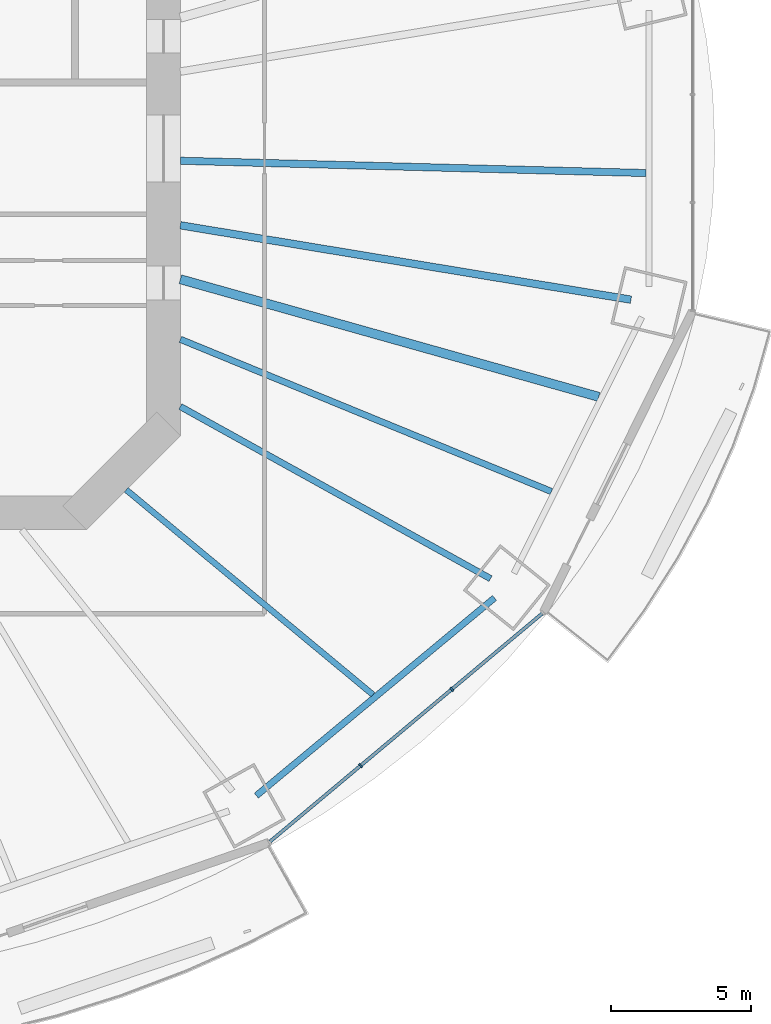
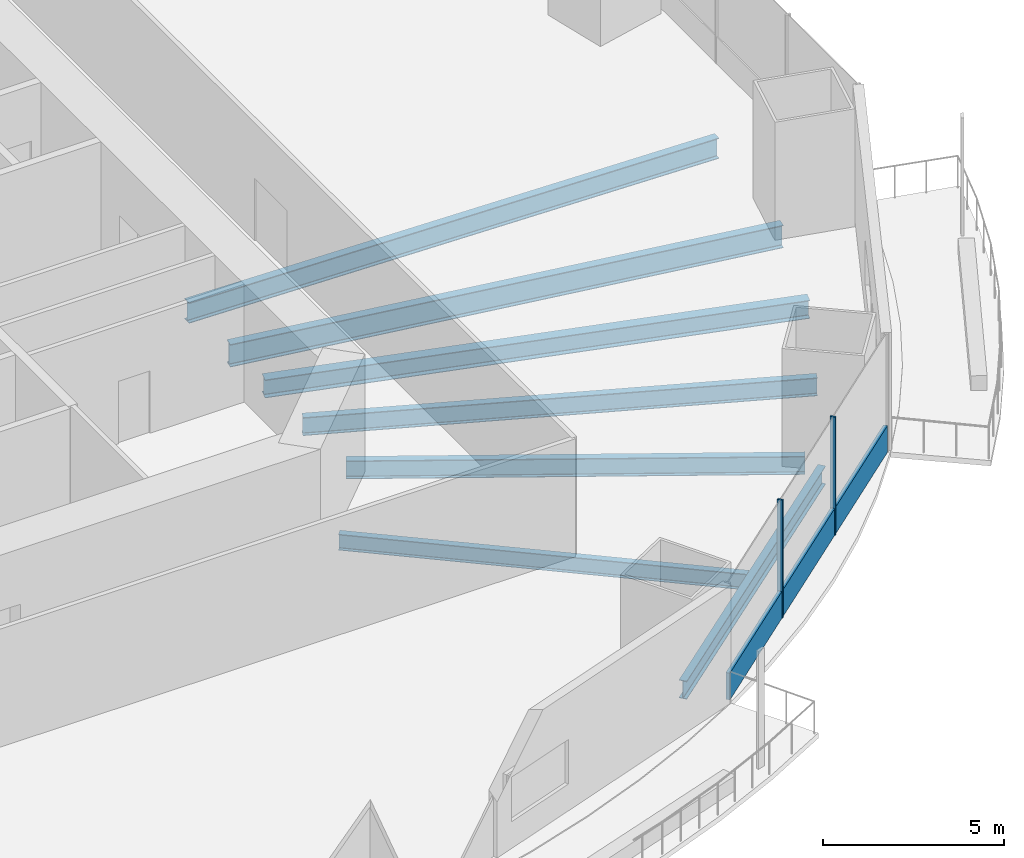
# One storey, part 5 of 22: 7 beams, 3 members, 1 element without a shape of its own.
"""IFC4 building model written with IfcOpenShell, lengths in metres."""

import ifcopenshell
import ifcopenshell.guid

model = None  # the IFC model being written
_history = None  # IfcOwnerHistory: only IFC2X3 demands one
_inside = {}  # id of a spatial element -> (the spatial element, [elements in it])
_under = {}  # id of a project, library or spatial element -> (it, [spatial elements below it])
_declared = {}  # id of a project -> (the project, [libraries it declares])
_typed = {}  # id of a type object -> (the type object, [elements of that type])
_made_of = {}  # id of a material, layer set ... -> (it, [elements and type objects made of it])


def new_model(schema):
    """Start an empty IFC model of exactly this schema.

    Asked for "IFC4X3", IfcOpenShell would pick the latest addendum, in which some entities
    have other attributes; the version numbers below select the first issue.
    IFC2X3 requires an IfcOwnerHistory on every rooted entity: one is made here for all.
    """
    global model, _history
    if schema == "IFC4X3":
        model = ifcopenshell.file(schema_version=(4, 3, 0, 0))
    else:
        model = ifcopenshell.file(schema=schema)
    _inside.clear()
    _under.clear()
    _declared.clear()
    _typed.clear()
    _made_of.clear()
    _history = None
    if model.schema == "IFC2X3":
        org = make("IfcOrganization", Name="unknown")
        user = make(
            "IfcPersonAndOrganization",
            ThePerson=make("IfcPerson", FamilyName="unknown"),
            TheOrganization=org,
        )
        app = make(
            "IfcApplication",
            ApplicationDeveloper=org,
            Version="unknown",
            ApplicationFullName="unknown",
            ApplicationIdentifier="unknown",
        )
        _history = make(
            "IfcOwnerHistory",
            OwningUser=user,
            OwningApplication=app,
            ChangeAction="ADDED",
            CreationDate=0,
        )
    return model


def make(cls, **values):
    """One entity of the class cls with the attributes given. An attribute that is None is left unset."""
    return model.create_entity(
        cls, **{name: value for name, value in values.items() if value is not None}
    )


def rooted(cls, **values):
    """An entity with a GlobalId (a new one), such as an element, a storey or a relation."""
    return make(cls, GlobalId=ifcopenshell.guid.new(), OwnerHistory=_history, **values)


def si_unit(unit_type, name, prefix=None):
    """IfcSIUnit, for example si_unit("LENGTHUNIT", "METRE", prefix="MILLI")."""
    return make("IfcSIUnit", UnitType=unit_type, Prefix=prefix, Name=name)


def assignment(units):
    """IfcUnitAssignment: the units of a project."""
    return None if units is None else make("IfcUnitAssignment", Units=units)


def point(xyz):
    """IfcCartesianPoint."""
    return None if xyz is None else make("IfcCartesianPoint", Coordinates=xyz)


def direction(xyz):
    """IfcDirection."""
    return None if xyz is None else make("IfcDirection", DirectionRatios=xyz)


def frame(location, z_axis=None, x_axis=None):
    """IfcAxis2Placement3D, a coordinate frame: its origin and axes. An axis left out is left unset."""
    return make(
        "IfcAxis2Placement3D",
        Location=point(location),
        Axis=direction(z_axis),
        RefDirection=direction(x_axis),
    )


def frame_2d(location, x_axis=None):
    """IfcAxis2Placement2D, a coordinate frame in the plane: its origin and x axis."""
    return make(
        "IfcAxis2Placement2D", Location=point(location), RefDirection=direction(x_axis)
    )


def origin():
    """The frame at (0, 0, 0) with its axes left unset."""
    return frame((0.0, 0.0, 0.0))


def origin_2d():
    """The frame at (0, 0) in the plane with its x axis left unset."""
    return frame_2d((0.0, 0.0))


def place(relative_to, where):
    """IfcLocalPlacement: puts the frame where relative to a parent placement (None: the world)."""
    return make(
        "IfcLocalPlacement", PlacementRelTo=relative_to, RelativePlacement=where
    )


def context(
    kind, dimensions, precision=None, world=None, true_north=None, identifier=None
):
    """IfcGeometricRepresentationContext, for example the 3D "Model" context."""
    return make(
        "IfcGeometricRepresentationContext",
        ContextIdentifier=identifier,
        ContextType=kind,
        CoordinateSpaceDimension=dimensions,
        Precision=precision,
        WorldCoordinateSystem=world,
        TrueNorth=true_north,
    )


def subcontext(parent, identifier, kind, view, scale=None):
    """IfcGeometricRepresentationSubContext, for example "Body" below "Model"."""
    return make(
        "IfcGeometricRepresentationSubContext",
        ContextIdentifier=identifier,
        ContextType=kind,
        ParentContext=parent,
        TargetScale=scale,
        TargetView=view,
    )


def project(units=None, contexts=None):
    """IfcProject with its units and contexts."""
    return rooted(
        "IfcProject",
        Name="project",
        RepresentationContexts=contexts,
        UnitsInContext=assignment(units),
    )


def spatial(cls, under=None, at=None, **own):
    """A site, building, storey or space (cls), placed at a placement, below another one or the project."""
    s = rooted(cls, ObjectPlacement=at, **own)
    if under is not None:
        _under.setdefault(under.id(), (under, []))[1].append(s)
    return s


def profile(cls, at=None, kind="AREA", **sizes):
    """A parametric profile (cls). Its sizes go by their IFC names, for example OverallWidth=200.0."""
    return make(cls, ProfileType=kind, Position=at, **sizes)


def rectangle(**sizes):
    """IfcRectangleProfileDef."""
    return profile("IfcRectangleProfileDef", **sizes)


def i_section(**sizes):
    """IfcIShapeProfileDef."""
    return profile("IfcIShapeProfileDef", **sizes)


def extrude(swept, where, along, depth):
    """IfcExtrudedAreaSolid: the profile swept, set in the frame where, extruded along a direction by depth."""
    return make(
        "IfcExtrudedAreaSolid",
        SweptArea=swept,
        Position=where,
        ExtrudedDirection=direction(along),
        Depth=depth,
    )


def shape(context_of_items, identifier, shape_type, items):
    """IfcShapeRepresentation: the items that make up one representation, for example the "Body"."""
    return make(
        "IfcShapeRepresentation",
        ContextOfItems=context_of_items,
        RepresentationIdentifier=identifier,
        RepresentationType=shape_type,
        Items=items,
    )


def material(Name=None, Category=None):
    """IfcMaterial."""
    return make("IfcMaterial", Name=Name, Category=Category)


def material_profile(
    of_material, cross_section, Name=None, Category=None, Priority=None
):
    """IfcMaterialProfile: a cross section and its material."""
    return make(
        "IfcMaterialProfile",
        Name=Name,
        Material=of_material,
        Profile=cross_section,
        Priority=Priority,
        Category=Category,
    )


def profile_set(profiles, Name=None, composite=None):
    """IfcMaterialProfileSet."""
    return make(
        "IfcMaterialProfileSet",
        Name=Name,
        MaterialProfiles=profiles,
        CompositeProfile=composite,
    )


def made_of(thing, what):
    """Note that an element or type object is made of a material, layer set ...; save() writes the relation."""
    if what is not None:
        _made_of.setdefault(what.id(), (what, []))[1].append(thing)
    return thing


def type_object(cls, material=None, **own):
    """A type object (cls), such as IfcWallType, which elements share."""
    return made_of(rooted(cls, **own), material)


def element(
    cls,
    number,
    at=None,
    inside=None,
    cuts=None,
    type_object=None,
    material=None,
    context=None,
    identifier="Body",
    shape_type=None,
    held_by="IfcProductDefinitionShape",
    body=None,
    shapes=None,
    **own,
):
    """One element of the class cls, such as IfcWall. Its Tag is "e" and its number.

    at: its placement. inside: the storey or other place that contains it. cuts: it is an
    opening in that element (IfcRelVoidsElement). A single representation is given by context,
    identifier, shape_type and body (its items); several are given by shapes. held_by: the class
    of the entity that holds the representations. save() writes the other relations.
    """
    e = rooted(cls, Tag="e%d" % number, ObjectPlacement=at, **own)
    if body is not None:
        shapes = [shape(context, identifier, shape_type, body)]
    if shapes is not None:
        e.Representation = make(held_by, Representations=shapes)
    if inside is not None:
        _inside.setdefault(inside.id(), (inside, []))[1].append(e)
    if cuts is not None:
        rooted(
            "IfcRelVoidsElement", RelatingBuildingElement=cuts, RelatedOpeningElement=e
        )
    if type_object is not None:
        _typed.setdefault(type_object.id(), (type_object, []))[1].append(e)
    return made_of(e, material)


def aggregate(whole, parts):
    """IfcRelAggregates: a whole, such as a stair, and the parts it consists of."""
    return rooted("IfcRelAggregates", RelatingObject=whole, RelatedObjects=parts)


def save(model, path):
    """Write the relations noted so far, then the file.

    IfcRelAggregates (storeys below a building ...), IfcRelContainedInSpatialStructure (elements
    in a storey), IfcRelDefinesByType, IfcRelAssociatesMaterial and IfcRelDeclares: one each for
    every whole, place, type object, material and project.
    """
    for whole, parts in _under.values():
        aggregate(whole, parts)
    for where, things in _inside.values():
        rooted(
            "IfcRelContainedInSpatialStructure",
            RelatedElements=things,
            RelatingStructure=where,
        )
    for kind, things in _typed.values():
        rooted("IfcRelDefinesByType", RelatedObjects=things, RelatingType=kind)
    for what, things in _made_of.values():
        rooted("IfcRelAssociatesMaterial", RelatedObjects=things, RelatingMaterial=what)
    for by, libraries in _declared.values():
        rooted("IfcRelDeclares", RelatingContext=by, RelatedDefinitions=libraries)
    model.write(path)


model = new_model("IFC4")

# Units and contexts
model_context = context("Model", 3, precision=1e-05, world=origin(), true_north=direction((0.0, 1.0)))
body_context = subcontext(model_context, "Body", "Model", "MODEL_VIEW")
ifc_project = project(units=[si_unit("LENGTHUNIT", "METRE"), si_unit("AREAUNIT", "SQUARE_METRE"), si_unit("VOLUMEUNIT", "CUBIC_METRE"), si_unit("PLANEANGLEUNIT", "RADIAN"), si_unit("MASSUNIT", "GRAM", prefix="KILO")], contexts=[model_context])

# Site, building, storey
site_placement = place(None, origin())
site = spatial("IfcSite", under=ifc_project, at=site_placement, CompositionType="ELEMENT")
building_placement = place(site_placement, origin())
building = spatial("IfcBuilding", under=site, at=building_placement, Name="Marenthal Gate Tower", CompositionType="ELEMENT")
storey_placement = place(building_placement, frame((0.0, 0.0, 78.64990234375)))
storey = spatial("IfcBuildingStorey", under=building, at=storey_placement, Name="L15", CompositionType="ELEMENT", Elevation=78.64990234375)

# Curtain wall, members
ifc_material_1 = material(Name="Aluminium and glass", Category="aluminium")
curtain_wall_type = type_object("IfcCurtainWallType", Name="Curtain wall typical low", PredefinedType="NOTDEFINED", material=ifc_material_1)
curtain_wall_placement = place(storey_placement, origin())
curtain_wall = element("IfcCurtainWall", 1, at=curtain_wall_placement, inside=storey, type_object=curtain_wall_type, Name="Curtain wall L15 bay 14", PredefinedType="NOTDEFINED")
ifc_material_2 = material(Name="Aluminium", Category="aluminium")
ifc_material_profile_1 = material_profile(ifc_material_2, rectangle(XDim=0.159912109375, YDim=0.06005859375, at=origin_2d()), Name="60x160 aluminium mullion")
ifc_profile_set_1 = profile_set([ifc_material_profile_1], Name="Aluminium")
member_type_1 = type_object("IfcMemberType", Name="Mullion 60x160 typical low", PredefinedType="MULLION", material=ifc_profile_set_1)
member_1_placement = place(storey_placement, frame((23.029541015625, -22.01904296875, 0.0), z_axis=(0.0, 0.0, 1.0), x_axis=(-0.642176178992, 0.76655707885, 0.0)))
member_1 = element("IfcMember", 2, at=member_1_placement, type_object=member_type_1, Name="Mullion L15 bay 14.2", PredefinedType="MULLION", context=body_context, shape_type="SweptSolid", body=[
    extrude(rectangle(XDim=0.159912109375, YDim=0.06005859375, at=origin_2d()), origin(), (0.0, 0.0, 1.0), 3.97021484375),
])
member_2_placement = place(storey_placement, frame((26.283935546875, -19.292724609375, 0.0), z_axis=(0.0, 0.0, 1.0), x_axis=(-0.642176178992, 0.76655707885, 0.0)))
member_2 = element("IfcMember", 3, at=member_2_placement, type_object=member_type_1, Name="Mullion L15 bay 14.3", PredefinedType="MULLION", context=body_context, shape_type="SweptSolid", body=[
    extrude(rectangle(XDim=0.159912109375, YDim=0.06005859375, at=origin_2d()), origin(), (0.0, 0.0, 1.0), 3.97021484375),
])
ifc_material_3 = material(Name="Aluminium", Category="aluminium")
ifc_material_profile_2 = material_profile(ifc_material_3, rectangle(XDim=0.1201171875, YDim=0.89990234375, at=origin_2d()), Name="120x900 aluminium transom")
ifc_profile_set_2 = profile_set([ifc_material_profile_2], Name="Aluminium")
member_type_2 = type_object("IfcMemberType", Name="Transom 120x900 typical low", PredefinedType="USERDEFINED", material=ifc_profile_set_2)
member_3_placement = place(storey_placement, frame((19.798095703125, -24.72607421875, 0.4501953125), z_axis=(0.766556354324, 0.642177043849, 0.0), x_axis=(-0.642177043849, 0.766556354324, 0.0)))
member_3 = element("IfcMember", 4, at=member_3_placement, type_object=member_type_2, Name="Transom L15 bay 14", ObjectType="TRANSOM", PredefinedType="USERDEFINED", context=body_context, shape_type="SweptSolid", body=[
    extrude(rectangle(XDim=0.1201171875, YDim=0.89990234375, at=origin_2d()), origin(), (0.0, 0.0, 1.0), 12.67626953125),
])
aggregate(curtain_wall, [member_1, member_2, member_3])

# Beams
ifc_material_4 = material(Name="Steel S355", Category="steel")
ifc_material_profile_3 = material_profile(ifc_material_4, i_section(OverallWidth=0.2099609375, OverallDepth=0.535888671875, WebThickness=0.010986328125, FlangeThickness=0.017333984375, FilletRadius=0.0126953125, at=origin_2d()), Name="W530X101")
ifc_profile_set_3 = profile_set([ifc_material_profile_3], Name="Steel S355")
beam_type_1 = type_object("IfcBeamType", Name="W530X101 beam", PredefinedType="BEAM", material=ifc_profile_set_3)
beam_1_placement = place(storey_placement, frame((23.47119140625, -19.485595703125, -0.447998046875), z_axis=(-0.769402561639, 0.638764196041, 0.0), x_axis=(-0.638764196041, -0.769402561639, 0.0)))
element("IfcBeam", 5, at=beam_1_placement, inside=storey, type_object=beam_type_1, Name="BM-L15-37", PredefinedType="BEAM", context=body_context, shape_type="SweptSolid", body=[
    extrude(i_section(OverallWidth=0.2099609375, OverallDepth=0.535888671875, WebThickness=0.010986328125, FlangeThickness=0.017333984375, FilletRadius=0.0126953125, at=origin_2d()), origin(), (0.0, 0.0, 1.0), 11.439208984375),
])
ifc_material_5 = material(Name="Steel S355", Category="steel")
ifc_material_profile_4 = material_profile(ifc_material_5, i_section(OverallWidth=0.22900390625, OverallDepth=0.612060546875, WebThickness=0.011962890625, FlangeThickness=0.01953125, FilletRadius=0.0126953125, at=origin_2d()), Name="W610X125")
ifc_profile_set_4 = profile_set([ifc_material_profile_4], Name="Steel S355")
beam_type_2 = type_object("IfcBeamType", Name="W610X125 beam", PredefinedType="BEAM", material=ifc_profile_set_4)
beam_2_placement = place(storey_placement, frame((27.6640625, -15.345703125, -0.48583984375), z_axis=(-0.874465657006, 0.485087429972, 0.0), x_axis=(-0.485087429972, -0.874465657006, 0.0)))
element("IfcBeam", 6, at=beam_2_placement, inside=storey, type_object=beam_type_2, Name="BM-L15-15", PredefinedType="BEAM", context=body_context, shape_type="SweptSolid", body=[
    extrude(i_section(OverallWidth=0.22900390625, OverallDepth=0.612060546875, WebThickness=0.011962890625, FlangeThickness=0.01953125, FilletRadius=0.0126953125, at=origin_2d()), origin(), (0.0, 0.0, 1.0), 12.65234375),
])
beam_3_placement = place(storey_placement, frame((29.840087890625, -12.239990234375, -0.48583984375), z_axis=(-0.925190275705, 0.379503562225, 0.0), x_axis=(-0.379503562225, -0.925190275705, 0.0)))
element("IfcBeam", 7, at=beam_3_placement, inside=storey, type_object=beam_type_2, Name="BM-L15-38", PredefinedType="BEAM", context=body_context, shape_type="SweptSolid", body=[
    extrude(i_section(OverallWidth=0.22900390625, OverallDepth=0.612060546875, WebThickness=0.011962890625, FlangeThickness=0.01953125, FilletRadius=0.0126953125, at=origin_2d()), origin(), (0.0, 0.0, 1.0), 14.310546875),
])
beam_4_placement = place(storey_placement, frame((19.311767578125, -23.087646484375, -0.48583984375), z_axis=(0.769405168871, 0.638761055571, 0.0), x_axis=(-0.638761055571, 0.769405168871, 0.0)))
element("IfcBeam", 8, at=beam_4_placement, inside=storey, type_object=beam_type_2, Name="BM-L15-54", PredefinedType="BEAM", context=body_context, shape_type="SweptSolid", body=[
    extrude(i_section(OverallWidth=0.22900390625, OverallDepth=0.612060546875, WebThickness=0.011962890625, FlangeThickness=0.01953125, FilletRadius=0.0126953125, at=origin_2d()), origin(), (0.0, 0.0, 1.0), 11.04248046875),
])
ifc_material_6 = material(Name="Steel S355", Category="steel")
ifc_material_profile_5 = material_profile(ifc_material_6, i_section(OverallWidth=0.324951171875, OverallDepth=0.612060546875, WebThickness=0.0126953125, FlangeThickness=0.01904296875, FilletRadius=0.0126953125, at=origin_2d()), Name="W610X155")
ifc_profile_set_5 = profile_set([ifc_material_profile_5], Name="Steel S355")
beam_type_3 = type_object("IfcBeamType", Name="W610X155 beam", PredefinedType="BEAM", material=ifc_profile_set_5)
beam_5_placement = place(storey_placement, frame((31.525390625, -8.862060546875, -0.48583984375), z_axis=(-0.962687612966, 0.270615150797, 0.0), x_axis=(-0.270615150797, -0.962687612966, 0.0)))
element("IfcBeam", 9, at=beam_5_placement, inside=storey, type_object=beam_type_3, Name="BM-L15-39", PredefinedType="BEAM", context=body_context, shape_type="SweptSolid", body=[
    extrude(i_section(OverallWidth=0.324951171875, OverallDepth=0.612060546875, WebThickness=0.0126953125, FlangeThickness=0.01904296875, FilletRadius=0.0126953125, at=origin_2d()), origin(), (0.0, 0.0, 1.0), 15.503662109375),
])
ifc_material_7 = material(Name="Steel S355", Category="steel")
ifc_material_profile_6 = material_profile(ifc_material_7, i_section(OverallWidth=0.257080078125, OverallDepth=0.693115234375, WebThickness=0.014404296875, FlangeThickness=0.023681640625, FilletRadius=0.015380859375, at=origin_2d()), Name="W690X170")
ifc_profile_set_6 = profile_set([ifc_material_profile_6], Name="Steel S355")
beam_type_4 = type_object("IfcBeamType", Name="W690X170 beam", PredefinedType="BEAM", material=ifc_profile_set_6)
beam_6_placement = place(storey_placement, frame((33.214111328125, -0.877685546875, -0.5263671875), z_axis=(-0.999651138497, 0.026412143055, 0.0), x_axis=(-0.026412143055, -0.999651138497, 0.0)))
element("IfcBeam", 10, at=beam_6_placement, inside=storey, type_object=beam_type_4, Name="BM-L15-40", PredefinedType="BEAM", context=body_context, shape_type="SweptSolid", body=[
    extrude(i_section(OverallWidth=0.257080078125, OverallDepth=0.693115234375, WebThickness=0.014404296875, FlangeThickness=0.023681640625, FilletRadius=0.015380859375, at=origin_2d()), origin(), (0.0, 0.0, 1.0), 16.619873046875),
])
ifc_material_8 = material(Name="Steel S355", Category="steel")
ifc_material_profile_7 = material_profile(ifc_material_8, i_section(OverallWidth=0.26708984375, OverallDepth=0.761962890625, WebThickness=0.014404296875, FlangeThickness=0.021484375, FilletRadius=0.0166015625, at=origin_2d()), Name="W760X173")
ifc_profile_set_7 = profile_set([ifc_material_profile_7], Name="Steel S355")
beam_type_5 = type_object("IfcBeamType", Name="W760X173 beam", PredefinedType="BEAM", material=ifc_profile_set_7)
beam_7_placement = place(storey_placement, frame((32.676025390625, -5.39599609375, -0.560791015625), z_axis=(-0.986637030798, 0.162933635137, 0.0), x_axis=(-0.162933635137, -0.986637030798, 0.0)))
element("IfcBeam", 11, at=beam_7_placement, inside=storey, type_object=beam_type_5, Name="BM-L15-16", PredefinedType="BEAM", context=body_context, shape_type="SweptSolid", body=[
    extrude(i_section(OverallWidth=0.26708984375, OverallDepth=0.761962890625, WebThickness=0.014404296875, FlangeThickness=0.021484375, FilletRadius=0.0166015625, at=origin_2d()), origin(), (0.0, 0.0, 1.0), 16.293701171875),
])

save(model, "model.ifc")
